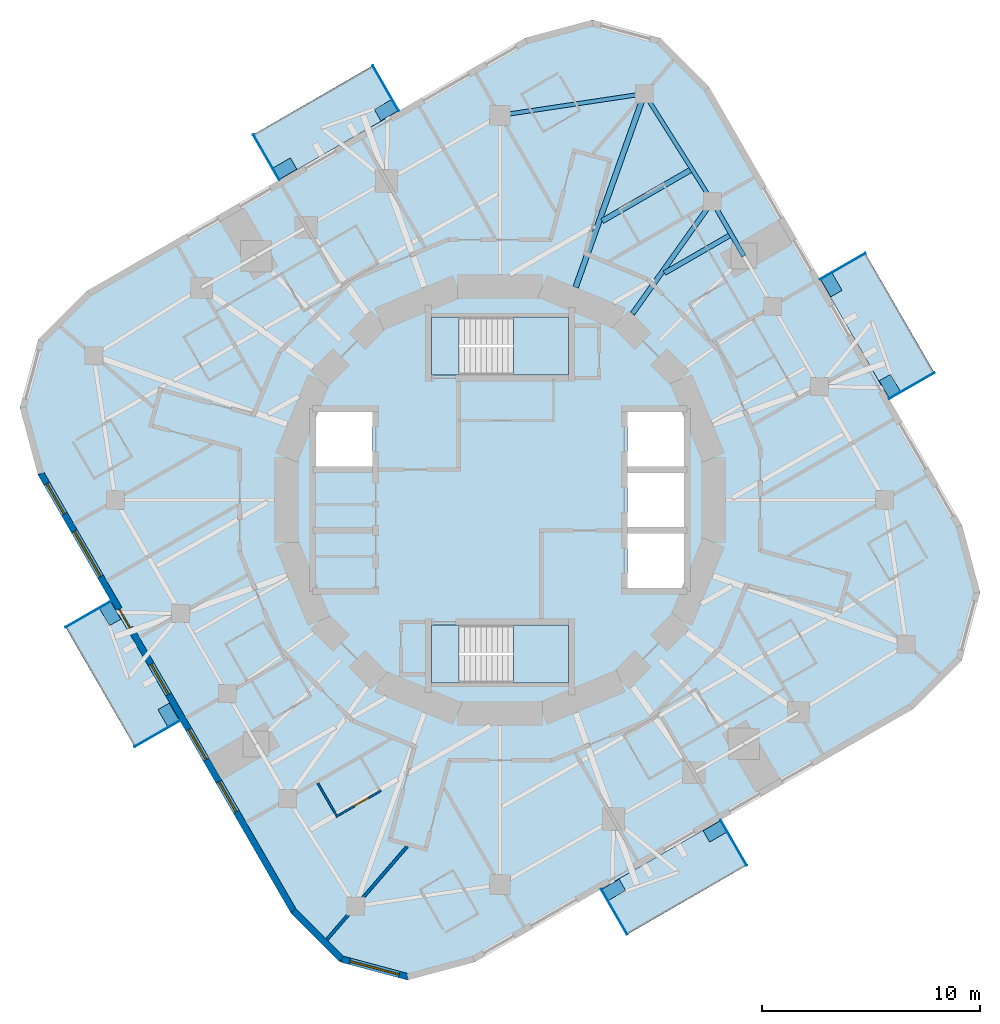
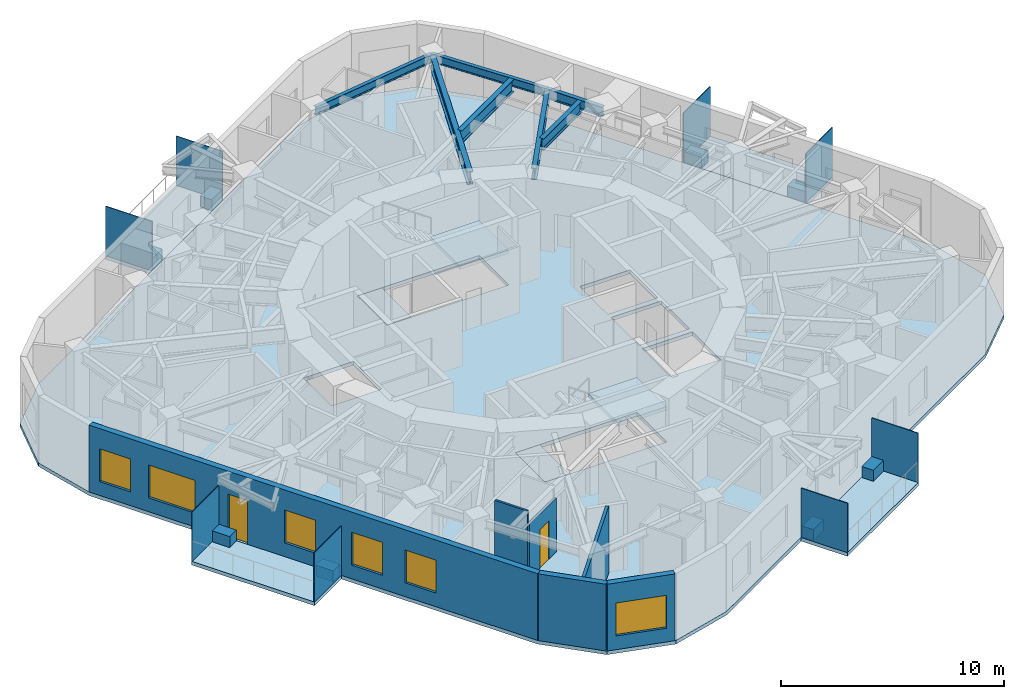
# One storey, part 3 of 11: 16 plates, 9 slabs, 7 beams, 6 walls, 6 windows, 2 doors, 8 openings, 2 elements without a shape of their own.
"""IFC4 building model written with IfcOpenShell, lengths in metres."""

from ifc_helpers import new_model, si_unit, direction, frame, frame_2d, origin, origin_2d, place, context, subcontext, project, spatial, polyline, rectangle, i_section, outline, extrude, material, layer, layer_set, material_profile, profile_set, type_object, element, fill, aggregate, save


model = new_model("IFC4")

# Units and contexts
model_context = context("Model", 3, precision=1e-05, world=origin(), true_north=direction((0.0, 1.0)))
body_context = subcontext(model_context, "Body", "Model", "MODEL_VIEW")
ifc_project = project(units=[si_unit("LENGTHUNIT", "METRE"), si_unit("AREAUNIT", "SQUARE_METRE"), si_unit("VOLUMEUNIT", "CUBIC_METRE"), si_unit("PLANEANGLEUNIT", "RADIAN"), si_unit("MASSUNIT", "GRAM", prefix="KILO")], contexts=[model_context])

# Site, building, storey
site_placement = place(None, origin())
site = spatial("IfcSite", under=ifc_project, at=site_placement, CompositionType="ELEMENT")
building_placement = place(site_placement, origin())
building = spatial("IfcBuilding", under=site, at=building_placement, Name="Nakasero Lantern House", CompositionType="ELEMENT")
storey_placement = place(building_placement, frame((0.0, 0.0, 230.800048828125)))
storey = spatial("IfcBuildingStorey", under=building, at=storey_placement, Name="L56", CompositionType="ELEMENT", Elevation=230.800048828125)

# Beams
ifc_material_1 = material(Name="Steel S355", Category="steel")
ifc_material_profile_1 = material_profile(ifc_material_1, i_section(OverallWidth=0.22900390625, OverallDepth=0.6123046875, WebThickness=0.011962890625, FlangeThickness=0.01953125, FilletRadius=0.0126953125, at=origin_2d()), Name="UB 610x229x125")
ifc_profile_set_1 = profile_set([ifc_material_profile_1], Name="Steel S355")
beam_type_1 = type_object("IfcBeamType", Name="Infill beam UB 610x229x125", PredefinedType="JOIST", material=ifc_profile_set_1)
beam_1_placement = place(storey_placement, frame((7.552001953125, 10.42236328125, 3.34375), z_axis=(0.866035643331, 0.499982264165, 0.0), x_axis=(-0.499982264165, 0.866035643331, 0.0)))
element("IfcBeam", 1, at=beam_1_placement, inside=storey, type_object=beam_type_1, Name="Infill beam L57 08.3", PredefinedType="JOIST", context=body_context, shape_type="SweptSolid", body=[
    extrude(i_section(OverallWidth=0.22900390625, OverallDepth=0.6123046875, WebThickness=0.011962890625, FlangeThickness=0.01953125, FilletRadius=0.0126953125, at=origin_2d()), origin(), (0.0, 0.0, 1.0), 3.443603515625),
])
ifc_material_2 = material(Name="Steel S355", Category="steel")
ifc_material_profile_2 = material_profile(ifc_material_2, i_section(OverallWidth=0.253662109375, OverallDepth=0.68359375, WebThickness=0.012451171875, FlangeThickness=0.01904296875, FilletRadius=0.01513671875, at=origin_2d()), Name="UB 686x254x140")
ifc_profile_set_2 = profile_set([ifc_material_profile_2], Name="Steel S355")
beam_type_2 = type_object("IfcBeamType", Name="Infill beam UB 686x254x140", PredefinedType="JOIST", material=ifc_profile_set_2)
beam_2_placement = place(storey_placement, frame((4.691162109375, 12.81201171875, 3.30810546875), z_axis=(0.866030607649, 0.499990986534, 0.0), x_axis=(-0.499990986534, 0.866030607649, 0.0)))
element("IfcBeam", 2, at=beam_2_placement, inside=storey, type_object=beam_type_2, Name="Infill beam L57 09.3", PredefinedType="JOIST", context=body_context, shape_type="SweptSolid", body=[
    extrude(i_section(OverallWidth=0.253662109375, OverallDepth=0.68359375, WebThickness=0.012451171875, FlangeThickness=0.01904296875, FilletRadius=0.01513671875, at=origin_2d()), origin(), (0.0, 0.0, 1.0), 4.66943359375),
])
ifc_material_3 = material(Name="Steel S355", Category="steel")
ifc_material_profile_3 = material_profile(ifc_material_3, i_section(OverallWidth=0.22900390625, OverallDepth=0.6123046875, WebThickness=0.011962890625, FlangeThickness=0.01953125, FilletRadius=0.0126953125, at=origin_2d()), Name="UB 610x229x125")
ifc_profile_set_3 = profile_set([ifc_material_profile_3], Name="Steel S355")
beam_type_3 = type_object("IfcBeamType", Name="Primary beam UB 610x229x125, span 6 to 9 m", PredefinedType="BEAM", material=ifc_profile_set_3)
beam_3_placement = place(storey_placement, frame((9.75048828125, 13.711669921875, 3.34375), z_axis=(-0.579504973637, -0.814968702178, 0.0), x_axis=(0.814968702178, -0.579504973637, 0.0)))
element("IfcBeam", 3, at=beam_3_placement, inside=storey, type_object=beam_type_3, Name="Primary beam L57 B6-C07", PredefinedType="BEAM", context=body_context, shape_type="SweptSolid", body=[
    extrude(i_section(OverallWidth=0.22900390625, OverallDepth=0.6123046875, WebThickness=0.011962890625, FlangeThickness=0.01953125, FilletRadius=0.0126953125, at=origin_2d()), origin(), (0.0, 0.0, 1.0), 6.320556640625),
])
ifc_material_4 = material(Name="Steel S355", Category="steel")
ifc_material_profile_4 = material_profile(ifc_material_4, i_section(OverallWidth=0.255859375, OverallDepth=0.69287109375, WebThickness=0.014404296875, FlangeThickness=0.023681640625, FilletRadius=0.01513671875, at=origin_2d()), Name="UB 686x254x170")
ifc_profile_set_4 = profile_set([ifc_material_profile_4], Name="Steel S355")
beam_type_4 = type_object("IfcBeamType", Name="Primary beam UB 686x254x170, span 9 to 12 m", PredefinedType="BEAM", material=ifc_profile_set_4)
beam_4_placement = place(storey_placement, frame((6.63525390625, 18.661376953125, 3.303466796875), z_axis=(-0.335006604588, -0.942215779364, 0.0), x_axis=(0.942215779364, -0.335006604588, 0.0)))
element("IfcBeam", 4, at=beam_4_placement, inside=storey, type_object=beam_type_4, Name="Primary beam L57 B6-C08", PredefinedType="BEAM", context=body_context, shape_type="SweptSolid", body=[
    extrude(i_section(OverallWidth=0.255859375, OverallDepth=0.69287109375, WebThickness=0.014404296875, FlangeThickness=0.023681640625, FilletRadius=0.01513671875, at=origin_2d()), origin(), (0.0, 0.0, 1.0), 9.4345703125),
])
ifc_material_5 = material(Name="Steel S355", Category="steel")
ifc_material_profile_5 = material_profile(ifc_material_5, i_section(OverallWidth=0.18994140625, OverallDepth=0.453369140625, WebThickness=0.008544921875, FlangeThickness=0.0126953125, FilletRadius=0.01025390625, at=origin_2d()), Name="UB 457x191x67")
ifc_profile_set_5 = profile_set([ifc_material_profile_5], Name="Steel S355")
beam_type_5 = type_object("IfcBeamType", Name="Ring beam UB 457x191x67", PredefinedType="BEAM", material=ifc_profile_set_5)
beam_5_placement = place(storey_placement, frame((9.75048828125, 13.711669921875, 3.42333984375), z_axis=(-0.532660471024, 0.846329027393, 0.0), x_axis=(-0.846329027393, -0.532660471024, 0.0)))
element("IfcBeam", 5, at=beam_5_placement, inside=storey, type_object=beam_type_5, Name="Ring beam L57 B6-C07", PredefinedType="BEAM", context=body_context, shape_type="SweptSolid", body=[
    extrude(i_section(OverallWidth=0.18994140625, OverallDepth=0.453369140625, WebThickness=0.008544921875, FlangeThickness=0.0126953125, FilletRadius=0.01025390625, at=origin_2d()), origin(), (0.0, 0.0, 1.0), 5.848388671875),
])
ifc_material_6 = material(Name="Steel S355", Category="steel")
ifc_material_profile_6 = material_profile(ifc_material_6, i_section(OverallWidth=0.19140625, OverallDepth=0.4599609375, WebThickness=0.010009765625, FlangeThickness=0.01611328125, FilletRadius=0.01025390625, at=origin_2d()), Name="UB 457x191x82")
ifc_profile_set_6 = profile_set([ifc_material_profile_6], Name="Steel S355")
beam_type_6 = type_object("IfcBeamType", Name="Ring beam UB 457x191x82", PredefinedType="BEAM", material=ifc_profile_set_6)
beam_6_placement = place(storey_placement, frame((6.63525390625, 18.661376953125, 3.419921875), z_axis=(-0.988956095107, -0.148208778253, 0.0), x_axis=(0.148208778253, -0.988956095107, 0.0)))
element("IfcBeam", 6, at=beam_6_placement, inside=storey, type_object=beam_type_6, Name="Ring beam L57 B6-C08", PredefinedType="BEAM", context=body_context, shape_type="SweptSolid", body=[
    extrude(i_section(OverallWidth=0.19140625, OverallDepth=0.4599609375, WebThickness=0.010009765625, FlangeThickness=0.01611328125, FilletRadius=0.01025390625, at=origin_2d()), origin(), (0.0, 0.0, 1.0), 6.70947265625),
])
ifc_material_7 = material(Name="Steel S355", Category="steel")
ifc_material_profile_7 = material_profile(ifc_material_7, i_section(OverallWidth=0.2099609375, OverallDepth=0.53662109375, WebThickness=0.0107421875, FlangeThickness=0.017333984375, FilletRadius=0.0126953125, at=origin_2d()), Name="UB 533x210x101")
ifc_profile_set_7 = profile_set([ifc_material_profile_7], Name="Steel S355")
beam_type_7 = type_object("IfcBeamType", Name="Ring beam UB 533x210x101", PredefinedType="BEAM", material=ifc_profile_set_7)
beam_7_placement = place(storey_placement, frame((11.200439453125, 11.200439453125, 3.381591796875), z_axis=(-0.500023687443, 0.866011727401, 0.0), x_axis=(-0.866011727401, -0.500023687443, 0.0)))
element("IfcBeam", 7, at=beam_7_placement, inside=storey, type_object=beam_type_7, Name="Ring beam L57 B6-C06", PredefinedType="BEAM", context=body_context, shape_type="SweptSolid", body=[
    extrude(i_section(OverallWidth=0.2099609375, OverallDepth=0.53662109375, WebThickness=0.0107421875, FlangeThickness=0.017333984375, FilletRadius=0.0126953125, at=origin_2d()), origin(), (0.0, 0.0, 1.0), 2.899658203125),
])

# Plates
ifc_material_8 = material(Name="Aluminium 6063-T6", Category="aluminium")
ifc_layer_1 = layer(ifc_material_8, 0.60009765625)
ifc_layer_set_1 = layer_set([ifc_layer_1], Name="Balcony planter 600x900")
plate_type_1 = type_object("IfcPlateType", Name="Balcony planter 600x900", PredefinedType="USERDEFINED", material=ifc_layer_set_1)
for number, where, z_axis, x_axis, name in (
    (8, (17.901611328125, 5.2333984375, 0.0), (0.0, 0.0, 1.0), (0.866025403784, 0.5, 0.0), "Balcony PLANTER L56 BAL0A"),
    (9, (15.225830078125, 9.867919921875, 0.0), (0.0, 0.0, 1.0), (0.866025403784, 0.5, 0.0), "Balcony PLANTER L56 BAL0B"),
    (10, (-5.2333984375, 17.901611328125, 0.0), (0.0, 0.0, 1.0), (-0.5, 0.866025403784, 0.0), "Balcony PLANTER L56 BAL1A"),
    (11, (-9.867919921875, 15.225830078125, 0.0), (0.0, 0.0, 1.0), (-0.5, 0.866025403784, 0.0), "Balcony PLANTER L56 BAL1B"),
    (12, (-17.901611328125, -5.2333984375, 0.0), (0.0, 0.0, 1.0), (-0.866025403784, -0.5, 0.0), "Balcony PLANTER L56 BAL2A"),
    (13, (-15.225830078125, -9.867919921875, 0.0), (0.0, 0.0, 1.0), (-0.866025403784, -0.5, 0.0), "Balcony PLANTER L56 BAL2B"),
    (14, (5.2333984375, -17.901611328125, 0.0), (0.0, 0.0, 1.0), (0.5, -0.866025403784, 0.0), "Balcony PLANTER L56 BAL3A"),
    (15, (9.867919921875, -15.225830078125, 0.0), (0.0, 0.0, 1.0), (0.5, -0.866025403784, 0.0), "Balcony PLANTER L56 BAL3B"),
):
    element("IfcPlate", number, at=place(storey_placement, frame(where, z_axis=z_axis, x_axis=x_axis)), inside=storey, type_object=plate_type_1, Name=name, ObjectType="PLANTER", PredefinedType="USERDEFINED", context=body_context, shape_type="SweptSolid", body=[
        extrude(rectangle(XDim=0.60009765625, YDim=0.89990234375, at=origin_2d()), origin(), (0.0, 0.0, 1.0), 0.60009765625),
    ])
ifc_material_9 = material(Name="Aluminium 6063-T6", Category="aluminium")
ifc_layer_2 = layer(ifc_material_9, 0.0400390625)
ifc_layer_set_2 = layer_set([ifc_layer_2], Name="Balcony screen 2400x2700")
plate_type_2 = type_object("IfcPlateType", Name="Balcony screen 2400x2700", PredefinedType="SHEET", material=ifc_layer_set_2)
for number, where, z_axis, x_axis, name in (
    (16, (18.90869140625, 5.2490234375, 0.0), (0.0, 0.0, 1.0), (0.866025403784, 0.5, 0.0), "Balcony SCREEN L56 BAL0A"),
    (17, (15.7431640625, 10.732177734375, 0.0), (0.0, 0.0, 1.0), (0.866025403784, 0.5, 0.0), "Balcony SCREEN L56 BAL0B"),
    (18, (-5.2490234375, 18.90869140625, 0.0), (0.0, 0.0, 1.0), (-0.5, 0.866025403784, 0.0), "Balcony SCREEN L56 BAL1A"),
    (19, (-10.732177734375, 15.7431640625, 0.0), (0.0, 0.0, 1.0), (-0.5, 0.866025403784, 0.0), "Balcony SCREEN L56 BAL1B"),
    (20, (-18.90869140625, -5.2490234375, 0.0), (0.0, 0.0, 1.0), (-0.866025403784, -0.5, 0.0), "Balcony SCREEN L56 BAL2A"),
    (21, (-15.7431640625, -10.732177734375, 0.0), (0.0, 0.0, 1.0), (-0.866025403784, -0.5, 0.0), "Balcony SCREEN L56 BAL2B"),
    (22, (5.2490234375, -18.90869140625, 0.0), (0.0, 0.0, 1.0), (0.5, -0.866025403784, 0.0), "Balcony SCREEN L56 BAL3A"),
    (23, (10.732177734375, -15.7431640625, 0.0), (0.0, 0.0, 1.0), (0.5, -0.866025403784, 0.0), "Balcony SCREEN L56 BAL3B"),
):
    element("IfcPlate", number, at=place(storey_placement, frame(where, z_axis=z_axis, x_axis=x_axis)), inside=storey, type_object=plate_type_2, Name=name, PredefinedType="SHEET", context=body_context, shape_type="SweptSolid", body=[
        extrude(rectangle(XDim=2.39990234375, YDim=0.0400390625, at=origin_2d()), origin(), (0.0, 0.0, 1.0), 2.699951171875),
    ])

# Slabs
ifc_material_10 = material(Name="Concrete C35/45", Category="concrete")
ifc_layer_3 = layer(ifc_material_10, 0.199951171875)
ifc_layer_set_3 = layer_set([ifc_layer_3], Name="Balcony slab 200")
slab_type_1 = type_object("IfcSlabType", Name="Balcony slab 200", PredefinedType="USERDEFINED", material=ifc_layer_set_3)
slab_1_placement = place(storey_placement, frame((0.0, 0.0, -0.199951171875)))
element("IfcSlab", 24, at=slab_1_placement, inside=storey, type_object=slab_type_1, Name="Balcony L56 BAL0", ObjectType="BALCONY", PredefinedType="USERDEFINED", context=body_context, shape_type="SweptSolid", body=[
    extrude(outline(polyline([(17.879638671875, 4.6318359375), (19.9580078125, 5.831787109375), (16.772216796875, 11.349609375), (14.69384765625, 10.149658203125), (17.879638671875, 4.6318359375)])), origin(), (0.0, 0.0, 1.0), 0.199951171875),
])
slab_2_placement = place(storey_placement, frame((0.0, 0.0, -0.199951171875)))
element("IfcSlab", 25, at=slab_2_placement, inside=storey, type_object=slab_type_1, Name="Balcony L56 BAL1", ObjectType="BALCONY", PredefinedType="USERDEFINED", context=body_context, shape_type="SweptSolid", body=[
    extrude(outline(polyline([(-4.6318359375, 17.879638671875), (-5.831787109375, 19.9580078125), (-11.349609375, 16.772216796875), (-10.149658203125, 14.69384765625), (-4.6318359375, 17.879638671875)])), origin(), (0.0, 0.0, 1.0), 0.199951171875),
])
slab_3_placement = place(storey_placement, frame((0.0, 0.0, -0.199951171875)))
element("IfcSlab", 26, at=slab_3_placement, inside=storey, type_object=slab_type_1, Name="Balcony L56 BAL2", ObjectType="BALCONY", PredefinedType="USERDEFINED", context=body_context, shape_type="SweptSolid", body=[
    extrude(outline(polyline([(-17.879638671875, -4.6318359375), (-19.9580078125, -5.831787109375), (-16.772216796875, -11.349609375), (-14.69384765625, -10.149658203125), (-17.879638671875, -4.6318359375)])), origin(), (0.0, 0.0, 1.0), 0.199951171875),
])
slab_4_placement = place(storey_placement, frame((0.0, 0.0, -0.199951171875)))
element("IfcSlab", 27, at=slab_4_placement, inside=storey, type_object=slab_type_1, Name="Balcony L56 BAL3", ObjectType="BALCONY", PredefinedType="USERDEFINED", context=body_context, shape_type="SweptSolid", body=[
    extrude(outline(polyline([(4.6318359375, -17.879638671875), (5.831787109375, -19.9580078125), (11.349609375, -16.772216796875), (10.149658203125, -14.69384765625), (4.6318359375, -17.879638671875)])), origin(), (0.0, 0.0, 1.0), 0.199951171875),
])
ifc_material_11 = material(Name="Concrete C35/45", Category="concrete")
ifc_layer_4 = layer(ifc_material_11, 0.199951171875)
ifc_layer_set_4 = layer_set([ifc_layer_4], Name="Composite floor slab 200")
slab_type_2 = type_object("IfcSlabType", Name="Composite floor slab 200", PredefinedType="FLOOR", material=ifc_layer_set_4)
slab_5_placement = place(storey_placement, frame((0.0, 0.0, -0.199951171875)))
element("IfcSlab", 28, at=slab_5_placement, inside=storey, type_object=slab_type_2, Name="Floor slab L56", PredefinedType="FLOOR", context=body_context, shape_type="SweptSolid", body=[
    extrude(outline(polyline([(9.615234375, 18.94580078125), (7.345947265625, 21.21533203125), (4.245849609375, 22.0458984375), (1.14599609375, 21.21533203125), (-18.94580078125, 9.615234375), (-21.21533203125, 7.345947265625), (-22.0458984375, 4.245849609375), (-21.21533203125, 1.14599609375), (-9.615234375, -18.94580078125), (-7.345947265625, -21.21533203125), (-4.245849609375, -22.0458984375), (-1.14599609375, -21.21533203125), (18.94580078125, -9.615234375), (21.21533203125, -7.345947265625), (22.0458984375, -4.245849609375), (21.21533203125, -1.14599609375), (9.615234375, 18.94580078125)]), holes=[polyline([(-8.449951171875, 1.550048828125), (-5.85009765625, 1.550048828125), (-5.85009765625, 4.050048828125), (-8.449951171875, 4.050048828125), (-8.449951171875, 1.550048828125)]), polyline([(5.85009765625, -4.050048828125), (8.449951171875, -4.050048828125), (8.449951171875, -1.550048828125), (5.85009765625, -1.550048828125), (5.85009765625, -4.050048828125)]), polyline([(5.85009765625, -1.25), (8.449951171875, -1.25), (8.449951171875, 1.25), (5.85009765625, 1.25), (5.85009765625, -1.25)]), polyline([(5.85009765625, 1.550048828125), (8.449951171875, 1.550048828125), (8.449951171875, 4.050048828125), (5.85009765625, 4.050048828125), (5.85009765625, 1.550048828125)]), polyline([(-3.14990234375, 5.75), (3.14990234375, 5.75), (3.14990234375, 8.39990234375), (-3.14990234375, 8.39990234375), (-3.14990234375, 5.75)]), polyline([(-3.14990234375, -8.39990234375), (3.14990234375, -8.39990234375), (3.14990234375, -5.75), (-3.14990234375, -5.75), (-3.14990234375, -8.39990234375)])]), origin(), (0.0, 0.0, 1.0), 0.199951171875),
])

# Stair, slabs
ifc_material_12 = material(Name="Concrete C40/50", Category="concrete")
stair_type_1 = type_object("IfcStairType", Name="Escape stair ST1 22 risers", PredefinedType="HALF_TURN_STAIR", material=ifc_material_12)
stair_1_placement = place(storey_placement, origin())
stair_1 = element("IfcStair", 29, at=stair_1_placement, inside=storey, type_object=stair_type_1, Name="Escape stair ST1 L56", PredefinedType="HALF_TURN_STAIR")
ifc_material_13 = material(Name="Concrete C40/50", Category="concrete")
ifc_layer_5 = layer(ifc_material_13, 0.199951171875)
ifc_layer_set_5 = layer_set([ifc_layer_5], Name="Stair landing 200")
slab_type_3 = type_object("IfcSlabType", Name="Stair landing 200", PredefinedType="LANDING", material=ifc_layer_set_5)
slab_6_placement = place(storey_placement, frame((0.0, 0.0, -0.199951171875)))
slab_6 = element("IfcSlab", 30, at=slab_6_placement, type_object=slab_type_3, Name="ST1 landing 1", PredefinedType="LANDING", context=body_context, shape_type="SweptSolid", body=[
    extrude(outline(polyline([(-3.14990234375, 5.75), (-1.875, 5.75), (-1.875, 8.39990234375), (-3.14990234375, 8.39990234375), (-3.14990234375, 5.75)])), origin(), (0.0, 0.0, 1.0), 0.199951171875),
])
slab_7_placement = place(storey_placement, frame((0.0, 0.0, 1.724853515625)))
slab_7 = element("IfcSlab", 31, at=slab_7_placement, type_object=slab_type_3, Name="ST1 landing 2", PredefinedType="LANDING", context=body_context, shape_type="SweptSolid", body=[
    extrude(outline(polyline([(0.625, 5.75), (3.14990234375, 5.75), (3.14990234375, 8.39990234375), (0.625, 8.39990234375), (0.625, 5.75)])), origin(), (0.0, 0.0, 1.0), 0.2001953125),
])
aggregate(stair_1, [slab_6, slab_7])

ifc_material_14 = material(Name="Concrete C40/50", Category="concrete")
stair_type_2 = type_object("IfcStairType", Name="Escape stair ST2 22 risers", PredefinedType="HALF_TURN_STAIR", material=ifc_material_14)
stair_2_placement = place(storey_placement, origin())
stair_2 = element("IfcStair", 32, at=stair_2_placement, inside=storey, type_object=stair_type_2, Name="Escape stair ST2 L56", PredefinedType="HALF_TURN_STAIR")
slab_8_placement = place(storey_placement, frame((0.0, 0.0, -0.199951171875)))
slab_8 = element("IfcSlab", 33, at=slab_8_placement, type_object=slab_type_3, Name="ST2 landing 1", PredefinedType="LANDING", context=body_context, shape_type="SweptSolid", body=[
    extrude(outline(polyline([(-3.14990234375, -8.39990234375), (-1.875, -8.39990234375), (-1.875, -5.75), (-3.14990234375, -5.75), (-3.14990234375, -8.39990234375)])), origin(), (0.0, 0.0, 1.0), 0.199951171875),
])
slab_9_placement = place(storey_placement, frame((0.0, 0.0, 1.724853515625)))
slab_9 = element("IfcSlab", 34, at=slab_9_placement, type_object=slab_type_3, Name="ST2 landing 2", PredefinedType="LANDING", context=body_context, shape_type="SweptSolid", body=[
    extrude(outline(polyline([(0.625, -8.39990234375), (3.14990234375, -8.39990234375), (3.14990234375, -5.75), (0.625, -5.75), (0.625, -8.39990234375)])), origin(), (0.0, 0.0, 1.0), 0.2001953125),
])
aggregate(stair_2, [slab_8, slab_9])

# Wall, opening, door
ifc_material_15 = material(Name="Blockwork", Category="masonry")
ifc_layer_6 = layer(ifc_material_15, 0.10009765625)
ifc_layer_set_6 = layer_set([ifc_layer_6], Name="En-suite wall 100")
wall_type_1 = type_object("IfcWallType", Name="En-suite wall 100", PredefinedType="PARTITIONING", material=ifc_layer_set_6)
wall_1_placement = place(storey_placement, frame((-5.46044921875, -13.342041015625, 0.0), z_axis=(0.0, 0.0, 1.0), x_axis=(-0.866006032174, -0.500033551112, 0.0)))
wall_1 = element("IfcWall", 35, at=wall_1_placement, inside=storey, type_object=wall_type_1, Name="En-suite wall L56 ES2-06", PredefinedType="PARTITIONING", context=body_context, shape_type="SweptSolid", body=[
    extrude(rectangle(XDim=2.400146484375, YDim=0.10009765625, at=frame_2d((1.2001953125, 0.0))), origin(), (0.0, 0.0, 1.0), 2.966552734375),
])
opening_1_placement = place(wall_1_placement, frame((0.64990234375, 0.0, 0.0)))
opening_1 = element("IfcOpeningElement", 36, at=opening_1_placement, cuts=wall_1, Name="Opening D02", PredefinedType="OPENING", context=body_context, shape_type="SweptSolid", body=[
    extrude(rectangle(XDim=0.800048828125, YDim=2.10009765625, at=frame_2d((0.39990234375, 1.050048828125))), frame((0.0, 0.070068359375, 0.0), z_axis=(0.0, -1.0, 0.0), x_axis=(1.0, 0.0, 0.0)), (0.0, 0.0, 1.0), 0.14013671875),
])
ifc_material_16 = material(Name="Timber C24", Category="wood")
door_type_1 = type_object("IfcDoorType", Name="En-suite door 800", OperationType="SINGLE_SWING_RIGHT", PredefinedType="DOOR", material=ifc_material_16)
door_1_placement = place(opening_1_placement, origin())
door_1 = element("IfcDoor", 37, at=door_1_placement, inside=storey, type_object=door_type_1, Name="Door L56 DE2-06", OperationType="SINGLE_SWING_LEFT", OverallHeight=2.10009765625, OverallWidth=0.800048828125, PredefinedType="DOOR", context=body_context, shape_type="SweptSolid", body=[
    extrude(rectangle(XDim=0.800048828125, YDim=2.10009765625, at=frame_2d((0.39990234375, 1.050048828125))), frame((0.0, 0.02490234375, 0.0), z_axis=(0.0, -1.0, 0.0), x_axis=(1.0, 0.0, 0.0)), (0.0, 0.0, 1.0), 0.050048828125),
])
fill(opening_1, door_1)

# Wall
wall_2_placement = place(storey_placement, frame((-8.37060546875, -13.001708984375, 0.0), z_axis=(0.0, 0.0, 1.0), x_axis=(0.499954529098, -0.86605165483, 0.0)))
element("IfcWall", 38, at=wall_2_placement, inside=storey, type_object=wall_type_1, Name="En-suite wall L56 EE2-06", PredefinedType="PARTITIONING", context=body_context, shape_type="SweptSolid", body=[
    extrude(rectangle(XDim=1.699951171875, YDim=0.10009765625, at=frame_2d((0.85009765625, 0.0))), origin(), (0.0, 0.0, 1.0), 3.64990234375),
])

# Wall, openings, door, windows
ifc_material_17 = material(Name="Aluminium rainscreen on blockwork", Category="masonry")
ifc_layer_7 = layer(ifc_material_17, 0.300048828125)
ifc_layer_set_7 = layer_set([ifc_layer_7], Name="Facade wall 300")
wall_type_2 = type_object("IfcWallType", Name="Facade wall 300", PredefinedType="SOLIDWALL", material=ifc_layer_set_7)
wall_3_placement = place(storey_placement, frame((-21.08544921875, 1.220947265625, 0.0), z_axis=(0.0, 0.0, 1.0), x_axis=(0.500003016864, -0.86602366199, 0.0)))
wall_3 = element("IfcWall", 39, at=wall_3_placement, inside=storey, type_object=wall_type_2, Name="Facade wall L56 FW2S", PredefinedType="SOLIDWALL", context=body_context, shape_type="SweptSolid", body=[
    extrude(rectangle(XDim=23.199951171875, YDim=0.300048828125, at=frame_2d((11.60009765625, 0.0))), origin(), (0.0, 0.0, 1.0), 3.64990234375),
])
opening_2_placement = place(wall_3_placement, frame((0.5458984375, 0.0, 0.75)))
opening_2 = element("IfcOpeningElement", 40, at=opening_2_placement, cuts=wall_3, Name="Opening W01", PredefinedType="OPENING", context=body_context, shape_type="SweptSolid", body=[
    extrude(rectangle(XDim=1.60009765625, YDim=1.800048828125, at=frame_2d((0.800048828125, 0.89990234375))), frame((0.0, 0.169921875, 0.0), z_axis=(0.0, -1.0, 0.0), x_axis=(1.0, 0.0, 0.0)), (0.0, 0.0, 1.0), 0.340087890625),
])
opening_3_placement = place(wall_3_placement, frame((10.11767578125, 0.0, 0.75)))
opening_3 = element("IfcOpeningElement", 41, at=opening_3_placement, cuts=wall_3, Name="Opening W01", PredefinedType="OPENING", context=body_context, shape_type="SweptSolid", body=[
    extrude(rectangle(XDim=1.60009765625, YDim=1.800048828125, at=frame_2d((0.800048828125, 0.89990234375))), frame((0.0, 0.169921875, 0.0), z_axis=(0.0, -1.0, 0.0), x_axis=(1.0, 0.0, 0.0)), (0.0, 0.0, 1.0), 0.340087890625),
])
opening_4_placement = place(wall_3_placement, frame((13.5751953125, 0.0, 0.75)))
opening_4 = element("IfcOpeningElement", 42, at=opening_4_placement, cuts=wall_3, Name="Opening W01", PredefinedType="OPENING", context=body_context, shape_type="SweptSolid", body=[
    extrude(rectangle(XDim=1.60009765625, YDim=1.800048828125, at=frame_2d((0.800048828125, 0.89990234375))), frame((0.0, 0.169921875, 0.0), z_axis=(0.0, -1.0, 0.0), x_axis=(1.0, 0.0, 0.0)), (0.0, 0.0, 1.0), 0.340087890625),
])
opening_5_placement = place(wall_3_placement, frame((16.349609375, 0.0, 0.75)))
opening_5 = element("IfcOpeningElement", 43, at=opening_5_placement, cuts=wall_3, Name="Opening W01", PredefinedType="OPENING", context=body_context, shape_type="SweptSolid", body=[
    extrude(rectangle(XDim=1.60009765625, YDim=1.800048828125, at=frame_2d((0.800048828125, 0.89990234375))), frame((0.0, 0.169921875, 0.0), z_axis=(0.0, -1.0, 0.0), x_axis=(1.0, 0.0, 0.0)), (0.0, 0.0, 1.0), 0.340087890625),
])
opening_6_placement = place(wall_3_placement, frame((3.071044921875, 0.0, 0.75)))
opening_6 = element("IfcOpeningElement", 44, at=opening_6_placement, cuts=wall_3, Name="Opening W03", PredefinedType="OPENING", context=body_context, shape_type="SweptSolid", body=[
    extrude(rectangle(XDim=2.39990234375, YDim=1.800048828125, at=frame_2d((1.199951171875, 0.89990234375))), frame((0.0, 0.169921875, 0.0), z_axis=(0.0, -1.0, 0.0), x_axis=(1.0, 0.0, 0.0)), (0.0, 0.0, 1.0), 0.340087890625),
])
opening_7_placement = place(wall_3_placement, frame((7.1904296875, 0.0, 0.0)))
opening_7 = element("IfcOpeningElement", 45, at=opening_7_placement, cuts=wall_3, Name="Opening D04", PredefinedType="OPENING", context=body_context, shape_type="SweptSolid", body=[
    extrude(rectangle(XDim=1.0, YDim=2.39990234375, at=frame_2d((0.5, 1.199951171875))), frame((0.0, 0.169921875, 0.0), z_axis=(0.0, -1.0, 0.0), x_axis=(1.0, 0.0, 0.0)), (0.0, 0.0, 1.0), 0.340087890625),
])
ifc_material_18 = material(Name="Aluminium 6063-T6 and glass", Category="aluminium")
door_type_2 = type_object("IfcDoorType", Name="Balcony door 1000x2400", OperationType="SINGLE_SWING_RIGHT", PredefinedType="DOOR", material=ifc_material_18)
door_2_placement = place(opening_7_placement, origin())
door_2 = element("IfcDoor", 46, at=door_2_placement, inside=storey, type_object=door_type_2, Name="Balcony door L56 DB2", OperationType="SINGLE_SWING_RIGHT", OverallHeight=2.39990234375, OverallWidth=1.0, PredefinedType="DOOR", context=body_context, shape_type="SweptSolid", body=[
    extrude(rectangle(XDim=1.0, YDim=2.39990234375, at=frame_2d((0.5, 1.199951171875))), frame((0.0, 0.02490234375, 0.0), z_axis=(0.0, -1.0, 0.0), x_axis=(1.0, 0.0, 0.0)), (0.0, 0.0, 1.0), 0.050048828125),
])
fill(opening_7, door_2)
ifc_material_19 = material(Name="Aluminium 6063-T6 and glass", Category="aluminium")
window_type_1 = type_object("IfcWindowType", Name="Bedroom window 1600x1800", PartitioningType="SINGLE_PANEL", PredefinedType="WINDOW", material=ifc_material_19)
window_1_placement = place(opening_2_placement, origin())
window_1 = element("IfcWindow", 47, at=window_1_placement, inside=storey, type_object=window_type_1, Name="Window L56 WN2-00", OverallHeight=1.800048828125, OverallWidth=1.60009765625, PartitioningType="SINGLE_PANEL", PredefinedType="WINDOW", context=body_context, shape_type="SweptSolid", body=[
    extrude(rectangle(XDim=1.60009765625, YDim=1.800048828125, at=frame_2d((0.800048828125, 0.89990234375))), frame((0.0, 0.030029296875, 0.0), z_axis=(0.0, -1.0, 0.0), x_axis=(1.0, 0.0, 0.0)), (0.0, 0.0, 1.0), 0.06005859375),
])
fill(opening_2, window_1)
window_2_placement = place(opening_3_placement, origin())
window_2 = element("IfcWindow", 48, at=window_2_placement, inside=storey, type_object=window_type_1, Name="Window L56 WN2-03", OverallHeight=1.800048828125, OverallWidth=1.60009765625, PartitioningType="SINGLE_PANEL", PredefinedType="WINDOW", context=body_context, shape_type="SweptSolid", body=[
    extrude(rectangle(XDim=1.60009765625, YDim=1.800048828125, at=frame_2d((0.800048828125, 0.89990234375))), frame((0.0, 0.030029296875, 0.0), z_axis=(0.0, -1.0, 0.0), x_axis=(1.0, 0.0, 0.0)), (0.0, 0.0, 1.0), 0.06005859375),
])
fill(opening_3, window_2)
window_3_placement = place(opening_4_placement, origin())
window_3 = element("IfcWindow", 49, at=window_3_placement, inside=storey, type_object=window_type_1, Name="Window L56 WN2-04", OverallHeight=1.800048828125, OverallWidth=1.60009765625, PartitioningType="SINGLE_PANEL", PredefinedType="WINDOW", context=body_context, shape_type="SweptSolid", body=[
    extrude(rectangle(XDim=1.60009765625, YDim=1.800048828125, at=frame_2d((0.800048828125, 0.89990234375))), frame((0.0, 0.030029296875, 0.0), z_axis=(0.0, -1.0, 0.0), x_axis=(1.0, 0.0, 0.0)), (0.0, 0.0, 1.0), 0.06005859375),
])
fill(opening_4, window_3)
window_4_placement = place(opening_5_placement, origin())
window_4 = element("IfcWindow", 50, at=window_4_placement, inside=storey, type_object=window_type_1, Name="Window L56 WN2-05", OverallHeight=1.800048828125, OverallWidth=1.60009765625, PartitioningType="SINGLE_PANEL", PredefinedType="WINDOW", context=body_context, shape_type="SweptSolid", body=[
    extrude(rectangle(XDim=1.60009765625, YDim=1.800048828125, at=frame_2d((0.800048828125, 0.89990234375))), frame((0.0, 0.030029296875, 0.0), z_axis=(0.0, -1.0, 0.0), x_axis=(1.0, 0.0, 0.0)), (0.0, 0.0, 1.0), 0.06005859375),
])
fill(opening_5, window_4)
ifc_material_20 = material(Name="Aluminium 6063-T6 and glass", Category="aluminium")
window_type_2 = type_object("IfcWindowType", Name="Lounge window 2400x1800", PartitioningType="SINGLE_PANEL", PredefinedType="WINDOW", material=ifc_material_20)
window_5_placement = place(opening_6_placement, origin())
window_5 = element("IfcWindow", 51, at=window_5_placement, inside=storey, type_object=window_type_2, Name="Window L56 WK2", OverallHeight=1.800048828125, OverallWidth=2.39990234375, PartitioningType="SINGLE_PANEL", PredefinedType="WINDOW", context=body_context, shape_type="SweptSolid", body=[
    extrude(rectangle(XDim=2.39990234375, YDim=1.800048828125, at=frame_2d((1.199951171875, 0.89990234375))), frame((0.0, 0.030029296875, 0.0), z_axis=(0.0, -1.0, 0.0), x_axis=(1.0, 0.0, 0.0)), (0.0, 0.0, 1.0), 0.06005859375),
])
fill(opening_6, window_5)

# Wall
wall_4_placement = place(storey_placement, frame((-9.4853515625, -18.870849609375, 0.0), z_axis=(0.0, 0.0, 1.0), x_axis=(0.707067801733, -0.707145758492, 0.0)))
element("IfcWall", 52, at=wall_4_placement, inside=storey, type_object=wall_type_2, Name="Facade wall L56 FW2C1", PredefinedType="SOLIDWALL", context=body_context, shape_type="SweptSolid", body=[
    extrude(rectangle(XDim=3.1318359375, YDim=0.300048828125, at=frame_2d((1.56591796875, 0.0))), origin(), (0.0, 0.0, 1.0), 3.64990234375),
])

# Wall, opening, window
wall_5_placement = place(storey_placement, frame((-7.27099609375, -21.08544921875, 0.0), z_axis=(0.0, 0.0, 1.0), x_axis=(0.965928914048, -0.258807521156, 0.0)))
wall_5 = element("IfcWall", 53, at=wall_5_placement, inside=storey, type_object=wall_type_2, Name="Facade wall L56 FW2C2", PredefinedType="SOLIDWALL", context=body_context, shape_type="SweptSolid", body=[
    extrude(rectangle(XDim=3.1318359375, YDim=0.300048828125, at=frame_2d((1.56591796875, 0.0))), origin(), (0.0, 0.0, 1.0), 3.64990234375),
])
opening_8_placement = place(wall_5_placement, frame((0.39990234375, 0.0, 0.75)))
opening_8 = element("IfcOpeningElement", 54, at=opening_8_placement, cuts=wall_5, Name="Opening W223", PredefinedType="OPENING", context=body_context, shape_type="SweptSolid", body=[
    extrude(rectangle(XDim=2.33203125, YDim=1.800048828125, at=frame_2d((1.166015625, 0.89990234375))), frame((0.0, 0.169921875, 0.0), z_axis=(0.0, -1.0, 0.0), x_axis=(1.0, 0.0, 0.0)), (0.0, 0.0, 1.0), 0.340087890625),
])
ifc_material_21 = material(Name="Aluminium 6063-T6 and glass", Category="aluminium")
window_type_3 = type_object("IfcWindowType", Name="Corner window 2332x1800", PartitioningType="SINGLE_PANEL", PredefinedType="WINDOW", material=ifc_material_21)
window_6_placement = place(opening_8_placement, origin())
window_6 = element("IfcWindow", 55, at=window_6_placement, inside=storey, type_object=window_type_3, Name="Window L56 WC2", OverallHeight=1.800048828125, OverallWidth=2.33203125, PartitioningType="SINGLE_PANEL", PredefinedType="WINDOW", context=body_context, shape_type="SweptSolid", body=[
    extrude(rectangle(XDim=2.33203125, YDim=1.800048828125, at=frame_2d((1.166015625, 0.89990234375))), frame((0.0, 0.030029296875, 0.0), z_axis=(0.0, -1.0, 0.0), x_axis=(1.0, 0.0, 0.0)), (0.0, 0.0, 1.0), 0.06005859375),
])
fill(opening_8, window_6)

# Wall
ifc_material_22 = material(Name="Blockwork", Category="masonry")
ifc_layer_8 = layer(ifc_material_22, 0.14990234375)
ifc_layer_set_8 = layer_set([ifc_layer_8], Name="Party wall 150")
wall_type_3 = type_object("IfcWallType", Name="Party wall 150", PredefinedType="PARTITIONING", material=ifc_layer_set_8)
wall_6_placement = place(storey_placement, frame((-4.263671875, -15.91259765625, 0.0), z_axis=(0.0, 0.0, 1.0), x_axis=(-0.653224504612, -0.75716427978, 0.0)))
element("IfcWall", 56, at=wall_6_placement, inside=storey, type_object=wall_type_3, Name="Party wall L56 PW3-00", PredefinedType="PARTITIONING", context=body_context, shape_type="SweptSolid", body=[
    extrude(rectangle(XDim=5.644287109375, YDim=0.14990234375, at=frame_2d((2.822265625, 0.0))), origin(), (0.0, 0.0, 1.0), 3.64990234375),
])

save(model, "model.ifc")
